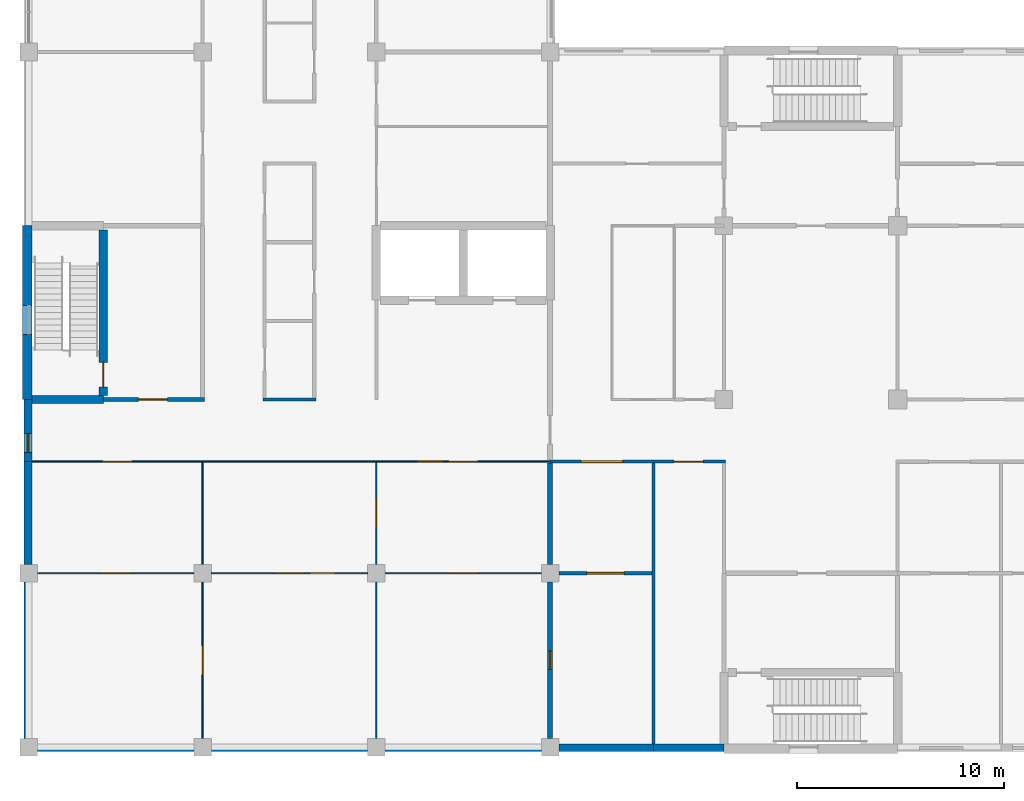
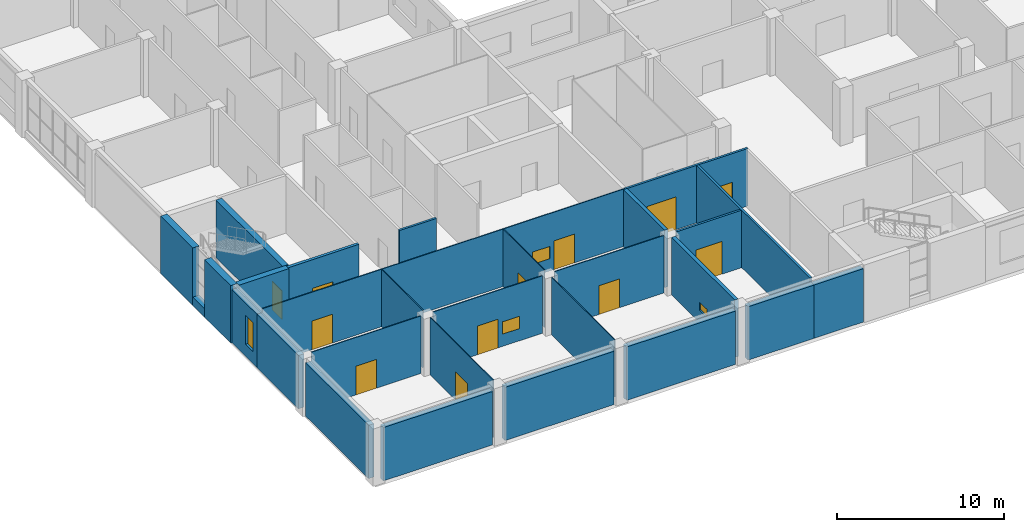
# One storey, part 32 of 66: 28 walls, 12 doors, 4 windows, 16 openings.
"""IFC4 building model written with IfcOpenShell, lengths in metres."""

from ifc_helpers import new_model, si_unit, direction, frame, frame_2d, origin, place, context, subcontext, project, spatial, rectangle, extrude, material, layer, layer_set, type_object, element, fill, save


model = new_model("IFC4")

# Units and contexts
model_context = context("Model", 3, precision=1e-05, world=origin(), true_north=direction((0.0, 1.0)))
body_context = subcontext(model_context, "Body", "Model", "MODEL_VIEW")
ifc_project = project(units=[si_unit("LENGTHUNIT", "METRE"), si_unit("AREAUNIT", "SQUARE_METRE"), si_unit("VOLUMEUNIT", "CUBIC_METRE"), si_unit("PLANEANGLEUNIT", "RADIAN"), si_unit("MASSUNIT", "GRAM", prefix="KILO")], contexts=[model_context])

# Site, building, storey
site_placement = place(None, origin())
site = spatial("IfcSite", under=ifc_project, at=site_placement, CompositionType="ELEMENT")
building_placement = place(site_placement, origin())
building = spatial("IfcBuilding", under=site, at=building_placement, Name="Yavir Park General Hospital", CompositionType="ELEMENT")
storey_placement = place(building_placement, frame((0.0, 0.0, 8.39990234375)))
storey = spatial("IfcBuildingStorey", under=building, at=storey_placement, Name="L02", CompositionType="ELEMENT", Elevation=8.39990234375)

# Wall, opening, window
ifc_material_1 = material(Name="Concrete C30/37", Category="concrete")
ifc_layer_1 = layer(ifc_material_1, 0.25)
ifc_layer_set_1 = layer_set([ifc_layer_1], Name="Concrete C30/37")
wall_type_1 = type_object("IfcWallType", Name="Compartment fire wall 250, REI 150", PredefinedType="SOLIDWALL", material=ifc_layer_set_1)
wall_1_placement = place(storey_placement, frame((25.199951171875, 0.425048828125, 0.0), z_axis=(0.0, 0.0, 1.0), x_axis=(0.0, 1.0, 0.0)))
wall_1 = element("IfcWall", 1, at=wall_1_placement, inside=storey, type_object=wall_type_1, Name="FW25 L02-216", PredefinedType="SOLIDWALL", context=body_context, shape_type="SweptSolid", body=[
    extrude(rectangle(XDim=7.550048828125, YDim=0.25, at=frame_2d((3.77490234375, 0.0))), origin(), (0.0, 0.0, 1.0), 4.2001953125),
])
opening_1_placement = place(wall_1_placement, frame((3.324951171875, 0.0, 0.89990234375)))
opening_1 = element("IfcOpeningElement", 2, at=opening_1_placement, cuts=wall_1, Name="Opening L02.903", PredefinedType="OPENING", context=body_context, shape_type="SweptSolid", body=[
    extrude(rectangle(XDim=0.89990234375, YDim=0.60009765625, at=frame_2d((0.449951171875, 0.300048828125))), frame((0.0, 0.135009765625, 0.0), z_axis=(0.0, -1.0, 0.0), x_axis=(1.0, 0.0, 0.0)), (0.0, 0.0, 1.0), 0.27001953125),
])
ifc_material_2 = material(Name="Stainless steel frame, glazed sliding panels", Category="steel")
window_type_1 = type_object("IfcWindowType", Name="Scrub room supply hatch 900 x 600", PartitioningType="DOUBLE_PANEL_HORIZONTAL", PredefinedType="WINDOW", material=ifc_material_2)
window_1_placement = place(opening_1_placement, origin())
window_1 = element("IfcWindow", 3, at=window_1_placement, inside=storey, type_object=window_type_1, Name="L02.903", OverallHeight=0.60009765625, OverallWidth=0.89990234375, PartitioningType="DOUBLE_PANEL_HORIZONTAL", PredefinedType="WINDOW", context=body_context, shape_type="SweptSolid", body=[
    extrude(rectangle(XDim=0.89990234375, YDim=0.60009765625, at=frame_2d((0.449951171875, 0.300048828125))), frame((0.0, 0.030029296875, 0.0), z_axis=(0.0, -1.0, 0.0), x_axis=(1.0, 0.0, 0.0)), (0.0, 0.0, 1.0), 0.06005859375),
])
fill(opening_1, window_1)

# Wall
wall_2_placement = place(storey_placement, frame((25.199951171875, 8.824951171875, 0.0), z_axis=(0.0, 0.0, 1.0), x_axis=(0.0, 1.0, 0.0)))
element("IfcWall", 4, at=wall_2_placement, inside=storey, type_object=wall_type_1, Name="FW25 L02-217", PredefinedType="SOLIDWALL", context=body_context, shape_type="SweptSolid", body=[
    extrude(rectangle(XDim=4.900146484375, YDim=0.25, at=frame_2d((2.4501953125, 0.0))), origin(), (0.0, 0.0, 1.0), 4.2001953125),
])

# Wall, opening, door
ifc_material_3 = material(Name="Double gypsum board fire partition on steel studs", Category="steel")
ifc_layer_2 = layer(ifc_material_3, 0.199951171875)
ifc_layer_set_2 = layer_set([ifc_layer_2], Name="Double gypsum board fire partition on steel studs")
wall_type_2 = type_object("IfcWallType", Name="Fire-rated partition 200, EI 60", PredefinedType="PARTITIONING", material=ifc_layer_set_2)
wall_3_placement = place(storey_placement, frame((3.60009765625, 16.800048828125, 0.0), z_axis=(0.0, 0.0, 1.0), x_axis=(1.0, 0.0, 0.0)))
wall_3 = element("IfcWall", 5, at=wall_3_placement, inside=storey, type_object=wall_type_2, Name="FP20 L02-035", PredefinedType="PARTITIONING", context=body_context, shape_type="SweptSolid", body=[
    extrude(rectangle(XDim=4.89990234375, YDim=0.199951171875, at=frame_2d((2.449951171875, 0.0))), origin(), (0.0, 0.0, 1.0), 4.2001953125),
])
opening_2_placement = place(wall_3_placement, frame((1.699951171875, 0.0, 0.0)))
opening_2 = element("IfcOpeningElement", 6, at=opening_2_placement, cuts=wall_3, Name="Opening L02.D053", PredefinedType="OPENING", context=body_context, shape_type="SweptSolid", body=[
    extrude(rectangle(XDim=1.39990234375, YDim=2.10009765625, at=frame_2d((0.699951171875, 1.050048828125))), frame((0.0, 0.10986328125, 0.0), z_axis=(0.0, -1.0, 0.0), x_axis=(1.0, 0.0, 0.0)), (0.0, 0.0, 1.0), 0.219970703125),
])
ifc_material_4 = material(Name="Steel frame, fire-resisting leaves with vision panels", Category="steel")
door_type_1 = type_object("IfcDoorType", Name="Double fire door with vision panels 1400 x 2100, EI 60", OperationType="DOUBLE_DOOR_SINGLE_SWING", PredefinedType="DOOR", material=ifc_material_4)
door_1_placement = place(opening_2_placement, origin())
door_1 = element("IfcDoor", 7, at=door_1_placement, inside=storey, type_object=door_type_1, Name="L02.D053", OperationType="SINGLE_SWING_LEFT", OverallHeight=2.10009765625, OverallWidth=1.39990234375, PredefinedType="DOOR", context=body_context, shape_type="SweptSolid", body=[
    extrude(rectangle(XDim=1.39990234375, YDim=2.10009765625, at=frame_2d((0.699951171875, 1.050048828125))), frame((0.0, 0.030029296875, 0.0), z_axis=(0.0, -1.0, 0.0), x_axis=(1.0, 0.0, 0.0)), (0.0, 0.0, 1.0), 0.06005859375),
])
fill(opening_2, door_1)

ifc_material_5 = material(Name="Gypsum board partition on steel studs", Category="steel")
ifc_layer_3 = layer(ifc_material_5, 0.14990234375)
ifc_layer_set_3 = layer_set([ifc_layer_3], Name="Gypsum board partition on steel studs")
wall_type_3 = type_object("IfcWallType", Name="Gypsum board partition 150", PredefinedType="PARTITIONING", material=ifc_layer_set_3)
wall_4_placement = place(storey_placement, frame((25.625, 8.39990234375, 0.0), z_axis=(0.0, 0.0, 1.0), x_axis=(1.0, 0.0, 0.0)))
wall_4 = element("IfcWall", 8, at=wall_4_placement, inside=storey, type_object=wall_type_3, Name="P15 L02-010", PredefinedType="PARTITIONING", context=body_context, shape_type="SweptSolid", body=[
    extrude(rectangle(XDim=4.5, YDim=0.14990234375, at=frame_2d((2.25, 0.0))), origin(), (0.0, 0.0, 1.0), 4.2001953125),
])
opening_3_placement = place(wall_4_placement, frame((1.35009765625, 0.0, 0.0)))
opening_3 = element("IfcOpeningElement", 9, at=opening_3_placement, cuts=wall_4, Name="Opening L02.D017", PredefinedType="OPENING", context=body_context, shape_type="SweptSolid", body=[
    extrude(rectangle(XDim=1.800048828125, YDim=2.39990234375, at=frame_2d((0.89990234375, 1.199951171875))), frame((0.0, 0.0849609375, 0.0), z_axis=(0.0, -1.0, 0.0), x_axis=(1.0, 0.0, 0.0)), (0.0, 0.0, 1.0), 0.169921875),
])
ifc_material_6 = material(Name="Hermetic steel-faced sliding leaves, hygienic coating", Category="steel")
door_type_2 = type_object("IfcDoorType", Name="Sterile bi-parting sliding door 1800 x 2400", OperationType="DOUBLE_DOOR_SLIDING", PredefinedType="DOOR", material=ifc_material_6)
door_2_placement = place(opening_3_placement, origin())
door_2 = element("IfcDoor", 10, at=door_2_placement, inside=storey, type_object=door_type_2, Name="L02.D017", OperationType="DOUBLE_DOOR_SLIDING", OverallHeight=2.39990234375, OverallWidth=1.800048828125, PredefinedType="DOOR", context=body_context, shape_type="SweptSolid", body=[
    extrude(rectangle(XDim=1.800048828125, YDim=2.39990234375, at=frame_2d((0.89990234375, 1.199951171875))), frame((0.0, 0.044921875, 0.0), z_axis=(0.0, -1.0, 0.0), x_axis=(1.0, 0.0, 0.0)), (0.0, 0.0, 1.0), 0.090087890625),
])
fill(opening_3, door_2)

# Wall, openings, doors
wall_5_placement = place(storey_placement, frame((25.199951171875, 13.800048828125, 0.0), z_axis=(0.0, 0.0, 1.0), x_axis=(1.0, 0.0, 0.0)))
wall_5 = element("IfcWall", 11, at=wall_5_placement, inside=storey, type_object=wall_type_3, Name="P15 L02-027", PredefinedType="PARTITIONING", context=body_context, shape_type="SweptSolid", body=[
    extrude(rectangle(XDim=8.47509765625, YDim=0.14990234375, at=frame_2d((4.237548828125, 0.0))), origin(), (0.0, 0.0, 1.0), 4.2001953125),
])
opening_4_placement = place(wall_5_placement, frame((1.5, 0.0, 0.0)))
opening_4 = element("IfcOpeningElement", 12, at=opening_4_placement, cuts=wall_5, Name="Opening L02.D041", PredefinedType="OPENING", context=body_context, shape_type="SweptSolid", body=[
    extrude(rectangle(XDim=2.0, YDim=2.39990234375, at=frame_2d((1.0, 1.199951171875))), frame((0.0, 0.0849609375, 0.0), z_axis=(0.0, -1.0, 0.0), x_axis=(1.0, 0.0, 0.0)), (0.0, 0.0, 1.0), 0.169921875),
])
opening_5_placement = place(wall_5_placement, frame((6.0, 0.0, 0.0)))
opening_5 = element("IfcOpeningElement", 13, at=opening_5_placement, cuts=wall_5, Name="Opening L02.D042", PredefinedType="OPENING", context=body_context, shape_type="SweptSolid", body=[
    extrude(rectangle(XDim=1.39990234375, YDim=2.10009765625, at=frame_2d((0.699951171875, 1.050048828125))), frame((0.0, 0.0849609375, 0.0), z_axis=(0.0, -1.0, 0.0), x_axis=(1.0, 0.0, 0.0)), (0.0, 0.0, 1.0), 0.169921875),
])
ifc_material_7 = material(Name="Hollow metal frame, solid-core timber leaf", Category="wood")
door_type_3 = type_object("IfcDoorType", Name="Double swing door 1400 x 2100", OperationType="DOUBLE_DOOR_SINGLE_SWING", PredefinedType="DOOR", material=ifc_material_7)
door_3_placement = place(opening_5_placement, origin())
door_3 = element("IfcDoor", 14, at=door_3_placement, inside=storey, type_object=door_type_3, Name="L02.D042", OperationType="SINGLE_SWING_LEFT", OverallHeight=2.10009765625, OverallWidth=1.39990234375, PredefinedType="DOOR", context=body_context, shape_type="SweptSolid", body=[
    extrude(rectangle(XDim=1.39990234375, YDim=2.10009765625, at=frame_2d((0.699951171875, 1.050048828125))), frame((0.0, 0.02490234375, 0.0), z_axis=(0.0, -1.0, 0.0), x_axis=(1.0, 0.0, 0.0)), (0.0, 0.0, 1.0), 0.050048828125),
])
fill(opening_5, door_3)
ifc_material_8 = material(Name="Hermetic steel-faced sliding leaves, hygienic coating", Category="steel")
door_type_4 = type_object("IfcDoorType", Name="Sterile bi-parting sliding door 2000 x 2400", OperationType="DOUBLE_DOOR_SLIDING", PredefinedType="DOOR", material=ifc_material_8)
door_4_placement = place(opening_4_placement, origin())
door_4 = element("IfcDoor", 15, at=door_4_placement, inside=storey, type_object=door_type_4, Name="L02.D041", OperationType="DOUBLE_DOOR_SLIDING", OverallHeight=2.39990234375, OverallWidth=2.0, PredefinedType="DOOR", context=body_context, shape_type="SweptSolid", body=[
    extrude(rectangle(XDim=2.0, YDim=2.39990234375, at=frame_2d((1.0, 1.199951171875))), frame((0.0, 0.044921875, 0.0), z_axis=(0.0, -1.0, 0.0), x_axis=(1.0, 0.0, 0.0)), (0.0, 0.0, 1.0), 0.090087890625),
])
fill(opening_4, door_4)

# Walls
wall_6_placement = place(storey_placement, frame((11.324951171875, 16.800048828125, 0.0), z_axis=(0.0, 0.0, 1.0), x_axis=(1.0, 0.0, 0.0)))
element("IfcWall", 16, at=wall_6_placement, inside=storey, type_object=wall_type_3, Name="P15 L02-036", PredefinedType="PARTITIONING", context=body_context, shape_type="SweptSolid", body=[
    extrude(rectangle(XDim=2.550048828125, YDim=0.14990234375, at=frame_2d((1.27490234375, 0.0))), origin(), (0.0, 0.0, 1.0), 4.2001953125),
])
wall_7_placement = place(storey_placement, frame((30.199951171875, 0.14990234375, 0.0), z_axis=(0.0, 0.0, 1.0), x_axis=(0.0, 1.0, 0.0)))
element("IfcWall", 17, at=wall_7_placement, inside=storey, type_object=wall_type_3, Name="P15 L02-222", PredefinedType="PARTITIONING", context=body_context, shape_type="SweptSolid", body=[
    extrude(rectangle(XDim=13.5751953125, YDim=0.14990234375, at=frame_2d((6.78759765625, 0.0))), origin(), (0.0, 0.0, 1.0), 4.2001953125),
])

# Wall, opening, door
ifc_material_9 = material(Name="Hygienic sandwich panel with galvanised steel sheet faces", Category="steel")
ifc_layer_4 = layer(ifc_material_9, 0.06005859375)
ifc_layer_set_4 = layer_set([ifc_layer_4], Name="Hygienic sandwich panel with galvanised steel sheet faces")
wall_type_4 = type_object("IfcWallType", Name="Hygienic panel partition 60", PredefinedType="PARTITIONING", material=ifc_layer_set_4)
wall_8_placement = place(storey_placement, frame((0.425048828125, 8.39990234375, 0.0), z_axis=(0.0, 0.0, 1.0), x_axis=(1.0, 0.0, 0.0)))
wall_8 = element("IfcWall", 18, at=wall_8_placement, inside=storey, type_object=wall_type_4, Name="HP60 L02-007", PredefinedType="PARTITIONING", context=body_context, shape_type="SweptSolid", body=[
    extrude(rectangle(XDim=7.550048828125, YDim=0.06005859375, at=frame_2d((3.77490234375, 0.0))), origin(), (0.0, 0.0, 1.0), 4.2001953125),
])
opening_6_placement = place(wall_8_placement, frame((3.074951171875, 0.0, 0.0)))
opening_6 = element("IfcOpeningElement", 19, at=opening_6_placement, cuts=wall_8, Name="Opening L02.D014", PredefinedType="OPENING", context=body_context, shape_type="SweptSolid", body=[
    extrude(rectangle(XDim=1.39990234375, YDim=2.10009765625, at=frame_2d((0.699951171875, 1.050048828125))), frame((0.0, 0.0400390625, 0.0), z_axis=(0.0, -1.0, 0.0), x_axis=(1.0, 0.0, 0.0)), (0.0, 0.0, 1.0), 0.080078125),
])
door_5_placement = place(opening_6_placement, origin())
door_5 = element("IfcDoor", 20, at=door_5_placement, inside=storey, type_object=door_type_3, Name="L02.D014", OperationType="SINGLE_SWING_RIGHT", OverallHeight=2.10009765625, OverallWidth=1.39990234375, PredefinedType="DOOR", context=body_context, shape_type="SweptSolid", body=[
    extrude(rectangle(XDim=1.39990234375, YDim=2.10009765625, at=frame_2d((0.699951171875, 1.050048828125))), frame((0.0, 0.02490234375, 0.0), z_axis=(0.0, -1.0, 0.0), x_axis=(1.0, 0.0, 0.0)), (0.0, 0.0, 1.0), 0.050048828125),
])
fill(opening_6, door_5)

# Wall, openings, door, window
wall_9_placement = place(storey_placement, frame((8.824951171875, 8.39990234375, 0.0), z_axis=(0.0, 0.0, 1.0), x_axis=(1.0, 0.0, 0.0)))
wall_9 = element("IfcWall", 21, at=wall_9_placement, inside=storey, type_object=wall_type_4, Name="HP60 L02-008", PredefinedType="PARTITIONING", context=body_context, shape_type="SweptSolid", body=[
    extrude(rectangle(XDim=7.550048828125, YDim=0.06005859375, at=frame_2d((3.77490234375, 0.0))), origin(), (0.0, 0.0, 1.0), 4.2001953125),
])
opening_7_placement = place(wall_9_placement, frame((3.074951171875, 0.0, 0.0)))
opening_7 = element("IfcOpeningElement", 22, at=opening_7_placement, cuts=wall_9, Name="Opening L02.D015", PredefinedType="OPENING", context=body_context, shape_type="SweptSolid", body=[
    extrude(rectangle(XDim=1.39990234375, YDim=2.10009765625, at=frame_2d((0.699951171875, 1.050048828125))), frame((0.0, 0.0400390625, 0.0), z_axis=(0.0, -1.0, 0.0), x_axis=(1.0, 0.0, 0.0)), (0.0, 0.0, 1.0), 0.080078125),
])
opening_8_placement = place(wall_9_placement, frame((4.77490234375, 0.0, 0.89990234375)))
opening_8 = element("IfcOpeningElement", 23, at=opening_8_placement, cuts=wall_9, Name="Opening L02.901", PredefinedType="OPENING", context=body_context, shape_type="SweptSolid", body=[
    extrude(rectangle(XDim=1.199951171875, YDim=0.89990234375, at=frame_2d((0.60009765625, 0.449951171875))), frame((0.0, 0.0400390625, 0.0), z_axis=(0.0, -1.0, 0.0), x_axis=(1.0, 0.0, 0.0)), (0.0, 0.0, 1.0), 0.080078125),
])
door_6_placement = place(opening_7_placement, origin())
door_6 = element("IfcDoor", 24, at=door_6_placement, inside=storey, type_object=door_type_3, Name="L02.D015", OperationType="SINGLE_SWING_LEFT", OverallHeight=2.10009765625, OverallWidth=1.39990234375, PredefinedType="DOOR", context=body_context, shape_type="SweptSolid", body=[
    extrude(rectangle(XDim=1.39990234375, YDim=2.10009765625, at=frame_2d((0.699951171875, 1.050048828125))), frame((0.0, 0.02490234375, 0.0), z_axis=(0.0, -1.0, 0.0), x_axis=(1.0, 0.0, 0.0)), (0.0, 0.0, 1.0), 0.050048828125),
])
fill(opening_7, door_6)
ifc_material_10 = material(Name="Interlocked stainless steel pass-through, vertical sliding doors", Category="steel")
window_type_2 = type_object("IfcWindowType", Name="Sterile services pass-through hatch 1200 x 900", PartitioningType="DOUBLE_PANEL_VERTICAL", PredefinedType="WINDOW", material=ifc_material_10)
window_2_placement = place(opening_8_placement, origin())
window_2 = element("IfcWindow", 25, at=window_2_placement, inside=storey, type_object=window_type_2, Name="L02.901", OverallHeight=0.89990234375, OverallWidth=1.199951171875, PartitioningType="DOUBLE_PANEL_VERTICAL", PredefinedType="WINDOW", context=body_context, shape_type="SweptSolid", body=[
    extrude(rectangle(XDim=1.199951171875, YDim=0.89990234375, at=frame_2d((0.60009765625, 0.449951171875))), frame((0.0, 0.02978515625, 0.0), z_axis=(0.0, -1.0, 0.0), x_axis=(1.0, 0.0, 0.0)), (0.0, 0.0, 1.0), 0.0595703125),
])
fill(opening_8, window_2)

# Wall, opening, door
wall_10_placement = place(storey_placement, frame((17.22509765625, 8.39990234375, 0.0), z_axis=(0.0, 0.0, 1.0), x_axis=(1.0, 0.0, 0.0)))
wall_10 = element("IfcWall", 26, at=wall_10_placement, inside=storey, type_object=wall_type_4, Name="HP60 L02-009", PredefinedType="PARTITIONING", context=body_context, shape_type="SweptSolid", body=[
    extrude(rectangle(XDim=7.5498046875, YDim=0.06005859375, at=frame_2d((3.77490234375, 0.0))), origin(), (0.0, 0.0, 1.0), 4.2001953125),
])
opening_9_placement = place(wall_10_placement, frame((3.074951171875, 0.0, 0.0)))
opening_9 = element("IfcOpeningElement", 27, at=opening_9_placement, cuts=wall_10, Name="Opening L02.D016", PredefinedType="OPENING", context=body_context, shape_type="SweptSolid", body=[
    extrude(rectangle(XDim=1.39990234375, YDim=2.10009765625, at=frame_2d((0.699951171875, 1.050048828125))), frame((0.0, 0.0400390625, 0.0), z_axis=(0.0, -1.0, 0.0), x_axis=(1.0, 0.0, 0.0)), (0.0, 0.0, 1.0), 0.080078125),
])
door_7_placement = place(opening_9_placement, origin())
door_7 = element("IfcDoor", 28, at=door_7_placement, inside=storey, type_object=door_type_3, Name="L02.D016", OperationType="SINGLE_SWING_LEFT", OverallHeight=2.10009765625, OverallWidth=1.39990234375, PredefinedType="DOOR", context=body_context, shape_type="SweptSolid", body=[
    extrude(rectangle(XDim=1.39990234375, YDim=2.10009765625, at=frame_2d((0.699951171875, 1.050048828125))), frame((0.0, 0.02490234375, 0.0), z_axis=(0.0, -1.0, 0.0), x_axis=(1.0, 0.0, 0.0)), (0.0, 0.0, 1.0), 0.050048828125),
])
fill(opening_9, door_7)

# Wall, openings, doors, window
wall_11_placement = place(storey_placement, frame((0.14990234375, 13.800048828125, 0.0), z_axis=(0.0, 0.0, 1.0), x_axis=(1.0, 0.0, 0.0)))
wall_11 = element("IfcWall", 29, at=wall_11_placement, inside=storey, type_object=wall_type_4, Name="HP60 L02-026", PredefinedType="PARTITIONING", context=body_context, shape_type="SweptSolid", body=[
    extrude(rectangle(XDim=25.050048828125, YDim=0.06005859375, at=frame_2d((12.52490234375, 0.0))), origin(), (0.0, 0.0, 1.0), 4.2001953125),
])
opening_10_placement = place(wall_11_placement, frame((3.425048828125, 0.0, 0.0)))
opening_10 = element("IfcOpeningElement", 30, at=opening_10_placement, cuts=wall_11, Name="Opening L02.D039", PredefinedType="OPENING", context=body_context, shape_type="SweptSolid", body=[
    extrude(rectangle(XDim=1.39990234375, YDim=2.10009765625, at=frame_2d((0.699951171875, 1.050048828125))), frame((0.0, 0.0400390625, 0.0), z_axis=(0.0, -1.0, 0.0), x_axis=(1.0, 0.0, 0.0)), (0.0, 0.0, 1.0), 0.080078125),
])
opening_11_placement = place(wall_11_placement, frame((20.14990234375, 0.0, 0.0)))
opening_11 = element("IfcOpeningElement", 31, at=opening_11_placement, cuts=wall_11, Name="Opening L02.D040", PredefinedType="OPENING", context=body_context, shape_type="SweptSolid", body=[
    extrude(rectangle(XDim=1.39990234375, YDim=2.10009765625, at=frame_2d((0.699951171875, 1.050048828125))), frame((0.0, 0.0400390625, 0.0), z_axis=(0.0, -1.0, 0.0), x_axis=(1.0, 0.0, 0.0)), (0.0, 0.0, 1.0), 0.080078125),
])
opening_12_placement = place(wall_11_placement, frame((18.64990234375, 0.0, 0.89990234375)))
opening_12 = element("IfcOpeningElement", 32, at=opening_12_placement, cuts=wall_11, Name="Opening L02.902", PredefinedType="OPENING", context=body_context, shape_type="SweptSolid", body=[
    extrude(rectangle(XDim=1.199951171875, YDim=0.89990234375, at=frame_2d((0.60009765625, 0.449951171875))), frame((0.0, 0.0400390625, 0.0), z_axis=(0.0, -1.0, 0.0), x_axis=(1.0, 0.0, 0.0)), (0.0, 0.0, 1.0), 0.080078125),
])
door_8_placement = place(opening_10_placement, origin())
door_8 = element("IfcDoor", 33, at=door_8_placement, inside=storey, type_object=door_type_3, Name="L02.D039", OperationType="SINGLE_SWING_LEFT", OverallHeight=2.10009765625, OverallWidth=1.39990234375, PredefinedType="DOOR", context=body_context, shape_type="SweptSolid", body=[
    extrude(rectangle(XDim=1.39990234375, YDim=2.10009765625, at=frame_2d((0.699951171875, 1.050048828125))), frame((0.0, 0.02490234375, 0.0), z_axis=(0.0, -1.0, 0.0), x_axis=(1.0, 0.0, 0.0)), (0.0, 0.0, 1.0), 0.050048828125),
])
fill(opening_10, door_8)
door_9_placement = place(opening_11_placement, origin())
door_9 = element("IfcDoor", 34, at=door_9_placement, inside=storey, type_object=door_type_3, Name="L02.D040", OperationType="SINGLE_SWING_LEFT", OverallHeight=2.10009765625, OverallWidth=1.39990234375, PredefinedType="DOOR", context=body_context, shape_type="SweptSolid", body=[
    extrude(rectangle(XDim=1.39990234375, YDim=2.10009765625, at=frame_2d((0.699951171875, 1.050048828125))), frame((0.0, 0.02490234375, 0.0), z_axis=(0.0, -1.0, 0.0), x_axis=(1.0, 0.0, 0.0)), (0.0, 0.0, 1.0), 0.050048828125),
])
fill(opening_11, door_9)
window_3_placement = place(opening_12_placement, origin())
window_3 = element("IfcWindow", 35, at=window_3_placement, inside=storey, type_object=window_type_2, Name="L02.902", OverallHeight=0.89990234375, OverallWidth=1.199951171875, PartitioningType="DOUBLE_PANEL_VERTICAL", PredefinedType="WINDOW", context=body_context, shape_type="SweptSolid", body=[
    extrude(rectangle(XDim=1.199951171875, YDim=0.89990234375, at=frame_2d((0.60009765625, 0.449951171875))), frame((0.0, 0.02978515625, 0.0), z_axis=(0.0, -1.0, 0.0), x_axis=(1.0, 0.0, 0.0)), (0.0, 0.0, 1.0), 0.0595703125),
])
fill(opening_12, window_3)

# Wall, opening, door
wall_12_placement = place(storey_placement, frame((8.39990234375, 0.425048828125, 0.0), z_axis=(0.0, 0.0, 1.0), x_axis=(0.0, 1.0, 0.0)))
wall_12 = element("IfcWall", 36, at=wall_12_placement, inside=storey, type_object=wall_type_4, Name="HP60 L02-165", PredefinedType="PARTITIONING", context=body_context, shape_type="SweptSolid", body=[
    extrude(rectangle(XDim=7.550048828125, YDim=0.06005859375, at=frame_2d((3.77490234375, 0.0))), origin(), (0.0, 0.0, 1.0), 4.2001953125),
])
opening_13_placement = place(wall_12_placement, frame((3.074951171875, 0.0, 0.0)))
opening_13 = element("IfcOpeningElement", 37, at=opening_13_placement, cuts=wall_12, Name="Opening L02.D117", PredefinedType="OPENING", context=body_context, shape_type="SweptSolid", body=[
    extrude(rectangle(XDim=1.39990234375, YDim=2.10009765625, at=frame_2d((0.699951171875, 1.050048828125))), frame((0.0, 0.0400390625, 0.0), z_axis=(0.0, -1.0, 0.0), x_axis=(1.0, 0.0, 0.0)), (0.0, 0.0, 1.0), 0.080078125),
])
door_10_placement = place(opening_13_placement, origin())
door_10 = element("IfcDoor", 38, at=door_10_placement, inside=storey, type_object=door_type_3, Name="L02.D117", OperationType="SINGLE_SWING_RIGHT", OverallHeight=2.10009765625, OverallWidth=1.39990234375, PredefinedType="DOOR", context=body_context, shape_type="SweptSolid", body=[
    extrude(rectangle(XDim=1.39990234375, YDim=2.10009765625, at=frame_2d((0.699951171875, 1.050048828125))), frame((0.0, 0.02490234375, 0.0), z_axis=(0.0, -1.0, 0.0), x_axis=(1.0, 0.0, 0.0)), (0.0, 0.0, 1.0), 0.050048828125),
])
fill(opening_13, door_10)

# Walls
wall_13_placement = place(storey_placement, frame((8.39990234375, 8.824951171875, 0.0), z_axis=(0.0, 0.0, 1.0), x_axis=(0.0, 1.0, 0.0)))
element("IfcWall", 39, at=wall_13_placement, inside=storey, type_object=wall_type_4, Name="HP60 L02-166", PredefinedType="PARTITIONING", context=body_context, shape_type="SweptSolid", body=[
    extrude(rectangle(XDim=4.945068359375, YDim=0.06005859375, at=frame_2d((2.47265625, 0.0))), origin(), (0.0, 0.0, 1.0), 4.2001953125),
])
wall_14_placement = place(storey_placement, frame((16.800048828125, 0.425048828125, 0.0), z_axis=(0.0, 0.0, 1.0), x_axis=(0.0, 1.0, 0.0)))
element("IfcWall", 40, at=wall_14_placement, inside=storey, type_object=wall_type_4, Name="HP60 L02-192", PredefinedType="PARTITIONING", context=body_context, shape_type="SweptSolid", body=[
    extrude(rectangle(XDim=7.550048828125, YDim=0.06005859375, at=frame_2d((3.77490234375, 0.0))), origin(), (0.0, 0.0, 1.0), 4.2001953125),
])

# Wall, opening, door
wall_15_placement = place(storey_placement, frame((16.800048828125, 8.824951171875, 0.0), z_axis=(0.0, 0.0, 1.0), x_axis=(0.0, 1.0, 0.0)))
wall_15 = element("IfcWall", 41, at=wall_15_placement, inside=storey, type_object=wall_type_4, Name="HP60 L02-193", PredefinedType="PARTITIONING", context=body_context, shape_type="SweptSolid", body=[
    extrude(rectangle(XDim=4.945068359375, YDim=0.06005859375, at=frame_2d((2.47265625, 0.0))), origin(), (0.0, 0.0, 1.0), 4.2001953125),
])
opening_14_placement = place(wall_15_placement, frame((1.7724609375, 0.0, 0.0)))
opening_14 = element("IfcOpeningElement", 42, at=opening_14_placement, cuts=wall_15, Name="Opening L02.D153", PredefinedType="OPENING", context=body_context, shape_type="SweptSolid", body=[
    extrude(rectangle(XDim=1.39990234375, YDim=2.10009765625, at=frame_2d((0.699951171875, 1.050048828125))), frame((0.0, 0.0400390625, 0.0), z_axis=(0.0, -1.0, 0.0), x_axis=(1.0, 0.0, 0.0)), (0.0, 0.0, 1.0), 0.080078125),
])
door_11_placement = place(opening_14_placement, origin())
door_11 = element("IfcDoor", 43, at=door_11_placement, inside=storey, type_object=door_type_3, Name="L02.D153", OperationType="SINGLE_SWING_RIGHT", OverallHeight=2.10009765625, OverallWidth=1.39990234375, PredefinedType="DOOR", context=body_context, shape_type="SweptSolid", body=[
    extrude(rectangle(XDim=1.39990234375, YDim=2.10009765625, at=frame_2d((0.699951171875, 1.050048828125))), frame((0.0, 0.02490234375, 0.0), z_axis=(0.0, -1.0, 0.0), x_axis=(1.0, 0.0, 0.0)), (0.0, 0.0, 1.0), 0.050048828125),
])
fill(opening_14, door_11)

# Walls
ifc_material_11 = material(Name="Autoclaved aerated block, 150 mm mineral wool and sand-coloured mineral render")
ifc_layer_5 = layer(ifc_material_11, 0.375)
ifc_layer_set_5 = layer_set([ifc_layer_5], Name="Autoclaved aerated block, 150 mm mineral wool and sand-coloured mineral render")
wall_type_5 = type_object("IfcWallType", Name="Mineral render clinical wall 375, E 30", PredefinedType="SOLIDWALL", material=ifc_layer_set_5)
for number, where, z_axis, x_axis, name in (
    (44, (0.425048828125, -0.03759765625, 0.0), (0.0, 0.0, 1.0), (1.0, 0.0, 0.0), "XW1 L02-001"),
    (45, (8.824951171875, -0.03759765625, 0.0), (0.0, 0.0, 1.0), (1.0, 0.0, 0.0), "XW1 L02-002"),
):
    element("IfcWall", number, at=place(storey_placement, frame(where, z_axis=z_axis, x_axis=x_axis)), inside=storey, type_object=wall_type_5, Name=name, PredefinedType="SOLIDWALL", context=body_context, shape_type="SweptSolid", body=[
        extrude(rectangle(XDim=7.550048828125, YDim=0.375, at=frame_2d((3.77490234375, 0.0))), origin(), (0.0, 0.0, 1.0), 3.900146484375),
    ])
wall_16_placement = place(storey_placement, frame((17.22509765625, -0.03759765625, 0.0), z_axis=(0.0, 0.0, 1.0), x_axis=(1.0, 0.0, 0.0)))
element("IfcWall", 46, at=wall_16_placement, inside=storey, type_object=wall_type_5, Name="XW1 L02-003", PredefinedType="SOLIDWALL", context=body_context, shape_type="SweptSolid", body=[
    extrude(rectangle(XDim=7.5498046875, YDim=0.375, at=frame_2d((3.77490234375, 0.0))), origin(), (0.0, 0.0, 1.0), 3.900146484375),
])
wall_17_placement = place(storey_placement, frame((25.625, -0.03759765625, 0.0), z_axis=(0.0, 0.0, 1.0), x_axis=(1.0, 0.0, 0.0)))
element("IfcWall", 47, at=wall_17_placement, inside=storey, type_object=wall_type_5, Name="XW1 L02-004", PredefinedType="SOLIDWALL", context=body_context, shape_type="SweptSolid", body=[
    extrude(rectangle(XDim=4.574951171875, YDim=0.375, at=frame_2d((2.28759765625, 0.0))), origin(), (0.0, 0.0, 1.0), 3.900146484375),
])
wall_18_placement = place(storey_placement, frame((30.199951171875, -0.03759765625, 0.0), z_axis=(0.0, 0.0, 1.0), x_axis=(1.0, 0.0, 0.0)))
element("IfcWall", 48, at=wall_18_placement, inside=storey, type_object=wall_type_5, Name="XW1 L02-005", PredefinedType="SOLIDWALL", context=body_context, shape_type="SweptSolid", body=[
    extrude(rectangle(XDim=3.400146484375, YDim=0.375, at=frame_2d((1.7001953125, 0.0))), origin(), (0.0, 0.0, 1.0), 3.900146484375),
])
wall_19_placement = place(storey_placement, frame((-0.03759765625, 0.425048828125, 0.0), z_axis=(0.0, 0.0, 1.0), x_axis=(0.0, 1.0, 0.0)))
element("IfcWall", 49, at=wall_19_placement, inside=storey, type_object=wall_type_5, Name="XW1 L02-111", PredefinedType="SOLIDWALL", context=body_context, shape_type="SweptSolid", body=[
    extrude(rectangle(XDim=7.550048828125, YDim=0.375, at=frame_2d((3.77490234375, 0.0))), origin(), (0.0, 0.0, 1.0), 3.900146484375),
])
wall_20_placement = place(storey_placement, frame((-0.03759765625, 8.824951171875, 0.0), z_axis=(0.0, 0.0, 1.0), x_axis=(0.0, 1.0, 0.0)))
element("IfcWall", 50, at=wall_20_placement, inside=storey, type_object=wall_type_5, Name="XW1 L02-112", PredefinedType="SOLIDWALL", context=body_context, shape_type="SweptSolid", body=[
    extrude(rectangle(XDim=4.97509765625, YDim=0.375, at=frame_2d((2.487548828125, 0.0))), origin(), (0.0, 0.0, 1.0), 3.900146484375),
])

# Wall, opening, window
wall_21_placement = place(storey_placement, frame((-0.03759765625, 13.800048828125, 0.0), z_axis=(0.0, 0.0, 1.0), x_axis=(0.0, 1.0, 0.0)))
wall_21 = element("IfcWall", 51, at=wall_21_placement, inside=storey, type_object=wall_type_5, Name="XW1 L02-113", PredefinedType="SOLIDWALL", context=body_context, shape_type="SweptSolid", body=[
    extrude(rectangle(XDim=3.0, YDim=0.375, at=frame_2d((1.5, 0.0))), origin(), (0.0, 0.0, 1.0), 3.900146484375),
])
opening_15_placement = place(wall_21_placement, frame((0.449951171875, 0.0, 0.89990234375)))
opening_15 = element("IfcOpeningElement", 52, at=opening_15_placement, cuts=wall_21, Name="Opening WH2", PredefinedType="OPENING", context=body_context, shape_type="SweptSolid", body=[
    extrude(rectangle(XDim=0.89990234375, YDim=2.10009765625, at=frame_2d((0.449951171875, 1.050048828125))), frame((0.0, 0.197509765625, 0.0), z_axis=(0.0, -1.0, 0.0), x_axis=(1.0, 0.0, 0.0)), (0.0, 0.0, 1.0), 0.39501953125),
])
ifc_material_12 = material(Name="Aluminium frame, double glazed unit", Category="aluminium")
window_type_3 = type_object("IfcWindowType", Name="Tall narrow window 900 x 2100", PartitioningType="SINGLE_PANEL", PredefinedType="WINDOW", material=ifc_material_12)
window_4_placement = place(opening_15_placement, origin())
window_4 = element("IfcWindow", 53, at=window_4_placement, inside=storey, type_object=window_type_3, Name="WH2 L02-049", OverallHeight=2.10009765625, OverallWidth=0.89990234375, PartitioningType="SINGLE_PANEL", PredefinedType="WINDOW", context=body_context, shape_type="SweptSolid", body=[
    extrude(rectangle(XDim=0.89990234375, YDim=2.10009765625, at=frame_2d((0.449951171875, 1.050048828125))), frame((0.0, 0.030029296875, 0.0), z_axis=(0.0, -1.0, 0.0), x_axis=(1.0, 0.0, 0.0)), (0.0, 0.0, 1.0), 0.06005859375),
])
fill(opening_15, window_4)

# Wall
ifc_material_13 = material(Name="Concrete C35/45", Category="concrete")
ifc_layer_6 = layer(ifc_material_13, 0.39990234375)
ifc_layer_set_6 = layer_set([ifc_layer_6], Name="Concrete C35/45")
wall_type_6 = type_object("IfcWallType", Name="Reinforced concrete core wall 400, REI 150", PredefinedType="SHEAR", material=ifc_layer_set_6)
wall_22_placement = place(storey_placement, frame((0.14990234375, 16.800048828125, 0.0), z_axis=(0.0, 0.0, 1.0), x_axis=(1.0, 0.0, 0.0)))
element("IfcWall", 54, at=wall_22_placement, inside=storey, type_object=wall_type_6, Name="CW40 L02-034", PredefinedType="SHEAR", context=body_context, shape_type="SweptSolid", body=[
    extrude(rectangle(XDim=3.4501953125, YDim=0.39990234375, at=frame_2d((1.72509765625, 0.0))), origin(), (0.0, 0.0, 1.0), 4.2001953125),
])

# Wall, opening, door
wall_23_placement = place(storey_placement, frame((3.60009765625, 17.0, 0.0), z_axis=(0.0, 0.0, 1.0), x_axis=(0.0, 1.0, 0.0)))
wall_23 = element("IfcWall", 55, at=wall_23_placement, inside=storey, type_object=wall_type_6, Name="CW40 L02-155", PredefinedType="SHEAR", context=body_context, shape_type="SweptSolid", body=[
    extrude(rectangle(XDim=8.0, YDim=0.39990234375, at=frame_2d((4.0, 0.0))), origin(), (0.0, 0.0, 1.0), 4.2001953125),
])
opening_16_placement = place(wall_23_placement, frame((0.39990234375, 0.0, 0.0)))
opening_16 = element("IfcOpeningElement", 56, at=opening_16_placement, cuts=wall_23, Name="Opening L02.D107", PredefinedType="OPENING", context=body_context, shape_type="SweptSolid", body=[
    extrude(rectangle(XDim=1.199951171875, YDim=2.10009765625, at=frame_2d((0.60009765625, 1.050048828125))), frame((0.0, 0.2099609375, 0.0), z_axis=(0.0, -1.0, 0.0), x_axis=(1.0, 0.0, 0.0)), (0.0, 0.0, 1.0), 0.419921875),
])
ifc_material_14 = material(Name="Steel frame, fire-resisting timber leaf", Category="steel")
door_type_5 = type_object("IfcDoorType", Name="Fire door 1200 x 2100, EI 60", OperationType="SINGLE_SWING_LEFT", PredefinedType="DOOR", material=ifc_material_14)
door_12_placement = place(opening_16_placement, origin())
door_12 = element("IfcDoor", 57, at=door_12_placement, inside=storey, type_object=door_type_5, Name="L02.D107", OperationType="SINGLE_SWING_RIGHT", OverallHeight=2.10009765625, OverallWidth=1.199951171875, PredefinedType="DOOR", context=body_context, shape_type="SweptSolid", body=[
    extrude(rectangle(XDim=1.199951171875, YDim=2.10009765625, at=frame_2d((0.60009765625, 1.050048828125))), frame((0.0, 0.02490234375, 0.0), z_axis=(0.0, -1.0, 0.0), x_axis=(1.0, 0.0, 0.0)), (0.0, 0.0, 1.0), 0.050048828125),
])
fill(opening_16, door_12)

# Walls
ifc_material_15 = material(Name="Concrete C30/37 precast panel with 150 mm mineral wool insulation", Category="concrete")
ifc_layer_7 = layer(ifc_material_15, 0.449951171875)
ifc_layer_set_7 = layer_set([ifc_layer_7], Name="Concrete C30/37 precast panel with 150 mm mineral wool insulation")
wall_type_7 = type_object("IfcWallType", Name="Stair enclosure wall 450, REI 150", PredefinedType="SOLIDWALL", material=ifc_layer_set_7)
wall_24_placement = place(storey_placement, frame((-0.074951171875, 16.800048828125, 0.0), z_axis=(0.0, 0.0, 1.0), x_axis=(0.0, 1.0, 0.0)))
element("IfcWall", 58, at=wall_24_placement, inside=storey, type_object=wall_type_7, Name="XW6 L02-114", PredefinedType="SOLIDWALL", context=body_context, shape_type="SweptSolid", body=[
    extrude(rectangle(XDim=3.14990234375, YDim=0.449951171875, at=frame_2d((1.574951171875, 0.0))), origin(), (0.0, 0.0, 1.0), 4.2001953125),
])
wall_25_placement = place(storey_placement, frame((-0.074951171875, 21.35009765625, 0.0), z_axis=(0.0, 0.0, 1.0), x_axis=(0.0, 1.0, 0.0)))
element("IfcWall", 59, at=wall_25_placement, inside=storey, type_object=wall_type_7, Name="XW6 L02-115", PredefinedType="SOLIDWALL", context=body_context, shape_type="SweptSolid", body=[
    extrude(rectangle(XDim=3.849853515625, YDim=0.449951171875, at=frame_2d((1.9248046875, 0.0))), origin(), (0.0, 0.0, 1.0), 4.2001953125),
])
wall_26_placement = place(storey_placement, frame((-0.074951171875, 19.949951171875, 0.0), z_axis=(0.0, 0.0, 1.0), x_axis=(0.0, 1.0, 0.0)))
element("IfcWall", 60, at=wall_26_placement, inside=storey, type_object=wall_type_7, Name="XW6 L02-116", PredefinedType="SOLIDWALL", context=body_context, shape_type="SweptSolid", body=[
    extrude(rectangle(XDim=1.400146484375, YDim=0.449951171875, at=frame_2d((0.7001953125, 0.0))), origin(), (0.0, 0.0, 1.0), 0.60009765625),
])

save(model, "model.ifc")
